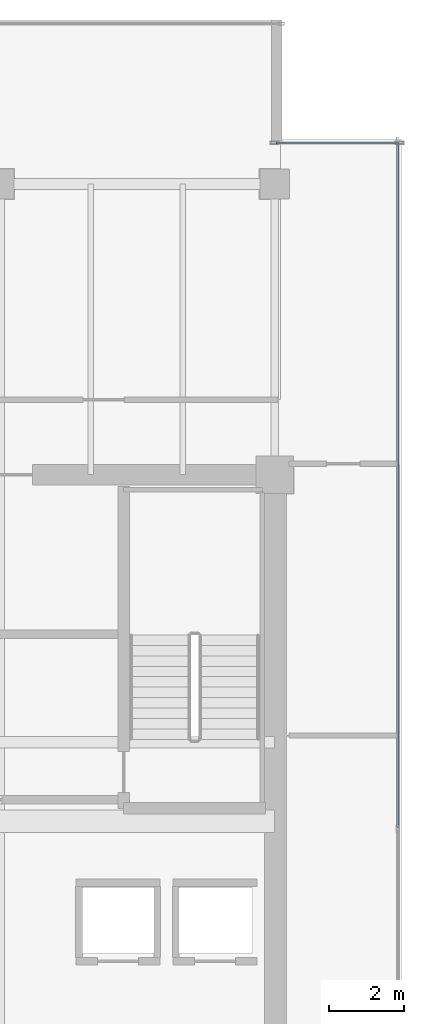
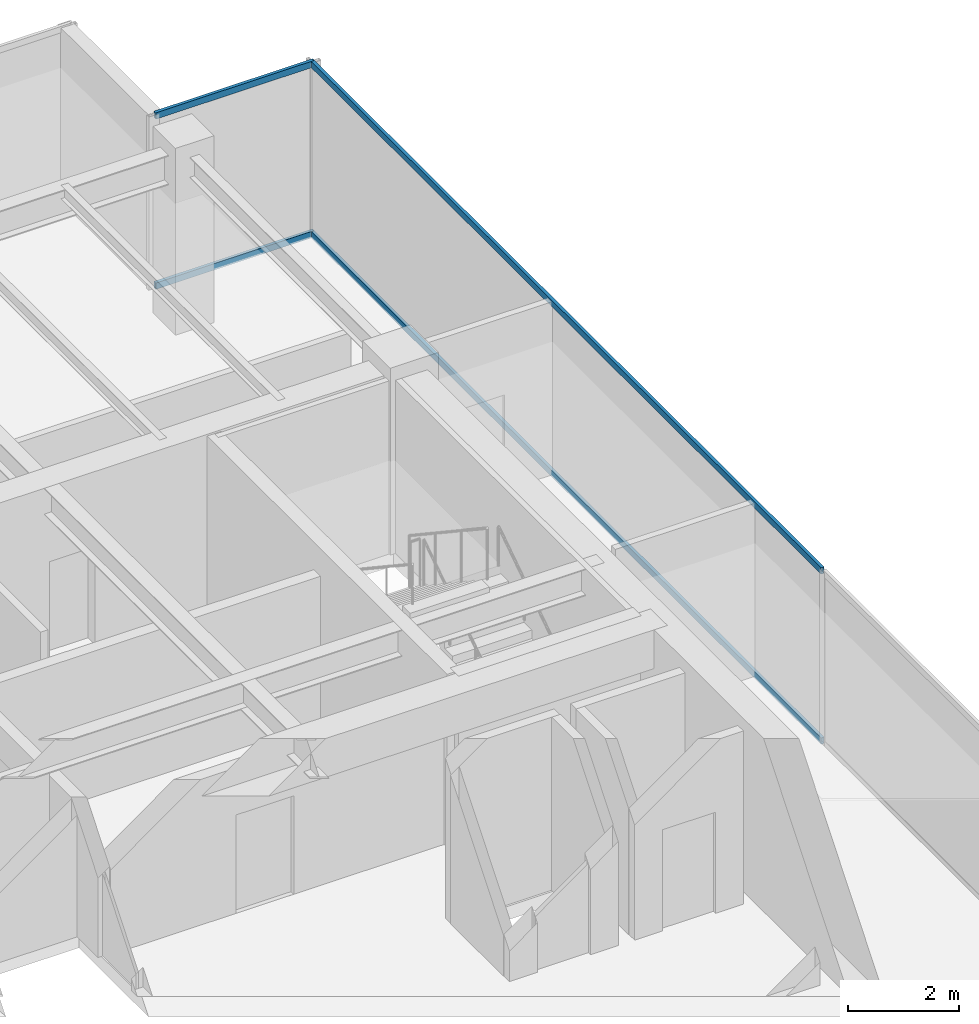
# One storey, part 25 of 35: 4 members, 2 elements without a shape of their own.
"""IFC4 building model written with IfcOpenShell, lengths in metres."""

from ifc_helpers import new_model, si_unit, direction, frame, origin, origin_2d, place, context, subcontext, project, spatial, hollow_rectangle, extrude, source, transform, mapped, material, layer, layer_set, material_profile, profile_set, type_object, type_shapes, element, aggregate, save


model = new_model("IFC4")

# Units and contexts
model_context = context("Model", 3, precision=1e-05, world=origin(), true_north=direction((0.0, 1.0)))
body_context = subcontext(model_context, "Body", "Model", "MODEL_VIEW")
ifc_project = project(units=[si_unit("LENGTHUNIT", "METRE"), si_unit("AREAUNIT", "SQUARE_METRE"), si_unit("VOLUMEUNIT", "CUBIC_METRE"), si_unit("PLANEANGLEUNIT", "RADIAN"), si_unit("MASSUNIT", "GRAM", prefix="KILO")], contexts=[model_context])

# Site, building, storey
site_placement = place(None, origin())
site = spatial("IfcSite", under=ifc_project, at=site_placement, CompositionType="ELEMENT")
building_placement = place(site_placement, origin())
building = spatial("IfcBuilding", under=site, at=building_placement, Name="Haelvirn Gate Laboratories", CompositionType="ELEMENT")
storey_placement = place(building_placement, frame((0.0, 0.0, 234.199951171875)))
storey = spatial("IfcBuildingStorey", under=building, at=storey_placement, Name="L56", CompositionType="ELEMENT", Elevation=234.199951171875)

# Curtain wall, members
ifc_material_1 = material(Name="Anodised bronze unitised aluminium & triple low-E glass", Category="aluminium")
ifc_layer_1 = layer(ifc_material_1, 0.181884765625, Name="CW-SYS-5")
ifc_layer_set_1 = layer_set([ifc_layer_1], Name="Anodised bronze unitised aluminium & triple low-E glass")
curtain_wall_type_1 = type_object("IfcCurtainWallType", Name="CW-SYS-5", PredefinedType="NOTDEFINED", material=ifc_layer_set_1)
curtain_wall_1_placement = place(storey_placement, origin())
curtain_wall_1 = element("IfcCurtainWall", 1, at=curtain_wall_1_placement, inside=storey, type_object=curtain_wall_type_1, Name="L56 Unitised Curtain Wall CW-L56-P0-E08-1", PredefinedType="NOTDEFINED")
ifc_material_2 = material(Name="Extruded aluminium 6063-T6 (anodised bronze)", Category="aluminium")
ifc_material_profile = material_profile(ifc_material_2, hollow_rectangle(XDim=0.06494140625, YDim=0.139892578125, WallThickness=0.00390625, at=origin_2d()), Name="CWT-140x65x4")
ifc_profile_set = profile_set([ifc_material_profile], Name="Extruded aluminium 6063-T6 (anodised bronze)")
member_type = type_object("IfcMemberType", Name="CWT-T140", PredefinedType="USERDEFINED", material=ifc_profile_set)
shared_shape_1 = source(origin(), body_context, "Body", "SweptSolid", [
    extrude(hollow_rectangle(XDim=0.06494140625, YDim=0.139892578125, WallThickness=0.00390625, at=origin_2d()), origin(), (0.0, 0.0, 1.0), 3.280029296875),
])
member_1_placement = place(storey_placement, frame((67.43994140625, 42.699951171875, 0.032470703125), z_axis=(1.0, 0.0, 0.0), x_axis=(0.0, 1.0, 0.0)))
member_1 = element("IfcMember", 2, at=member_1_placement, type_object=member_type, Name="CW5 transom 1.1", ObjectType="TRANSOM", PredefinedType="USERDEFINED", context=body_context, shape_type="MappedRepresentation", body=[
    mapped(shared_shape_1, transform((0.0, 0.0, 0.0), scale=1.0)),
])
member_2_placement = place(storey_placement, frame((67.43994140625, 42.699951171875, 3.767578125), z_axis=(1.0, 0.0, 0.0), x_axis=(0.0, 1.0, 0.0)))
member_2 = element("IfcMember", 3, at=member_2_placement, type_object=member_type, Name="CW5 transom 1.2", ObjectType="TRANSOM", PredefinedType="USERDEFINED", context=body_context, shape_type="MappedRepresentation", body=[
    mapped(shared_shape_1, transform((0.0, 0.0, 0.0), scale=1.0)),
])
aggregate(curtain_wall_1, [member_1, member_2])

ifc_layer_2 = layer(ifc_material_1, 0.176025390625, Name="CW-SYS-4")
ifc_layer_set_2 = layer_set([ifc_layer_2], Name="Anodised bronze unitised aluminium & triple low-E glass")
curtain_wall_type_2 = type_object("IfcCurtainWallType", Name="CW-SYS-4", PredefinedType="NOTDEFINED", material=ifc_layer_set_2)
curtain_wall_2_placement = place(storey_placement, origin())
curtain_wall_2 = element("IfcCurtainWall", 4, at=curtain_wall_2_placement, inside=storey, type_object=curtain_wall_type_2, Name="L56 Unitised Curtain Wall CW-L56-P0-E07", PredefinedType="NOTDEFINED")
shared_shape_2 = source(origin(), body_context, "Body", "SweptSolid", [
    extrude(hollow_rectangle(XDim=0.06494140625, YDim=0.139892578125, WallThickness=0.00390625, at=origin_2d()), origin(), (0.0, 0.0, 1.0), 18.39501953125),
])
type_shapes(member_type, [shared_shape_1, shared_shape_2])
member_3_placement = place(storey_placement, frame((70.699951171875, 24.3349609375, 0.032470703125), z_axis=(0.0, 1.0, 0.0), x_axis=(-1.0, 0.0, 0.0)))
member_3 = element("IfcMember", 5, at=member_3_placement, type_object=member_type, Name="CW4 transom 2.1", ObjectType="TRANSOM", PredefinedType="USERDEFINED", context=body_context, shape_type="MappedRepresentation", body=[
    mapped(shared_shape_2, transform((0.0, 0.0, 0.0), scale=1.0)),
])
member_4_placement = place(storey_placement, frame((70.699951171875, 24.3349609375, 3.767578125), z_axis=(0.0, 1.0, 0.0), x_axis=(-1.0, 0.0, 0.0)))
member_4 = element("IfcMember", 6, at=member_4_placement, type_object=member_type, Name="CW4 transom 2.2", ObjectType="TRANSOM", PredefinedType="USERDEFINED", context=body_context, shape_type="MappedRepresentation", body=[
    mapped(shared_shape_2, transform((0.0, 0.0, 0.0), scale=1.0)),
])
aggregate(curtain_wall_2, [member_3, member_4])

save(model, "model.ifc")
